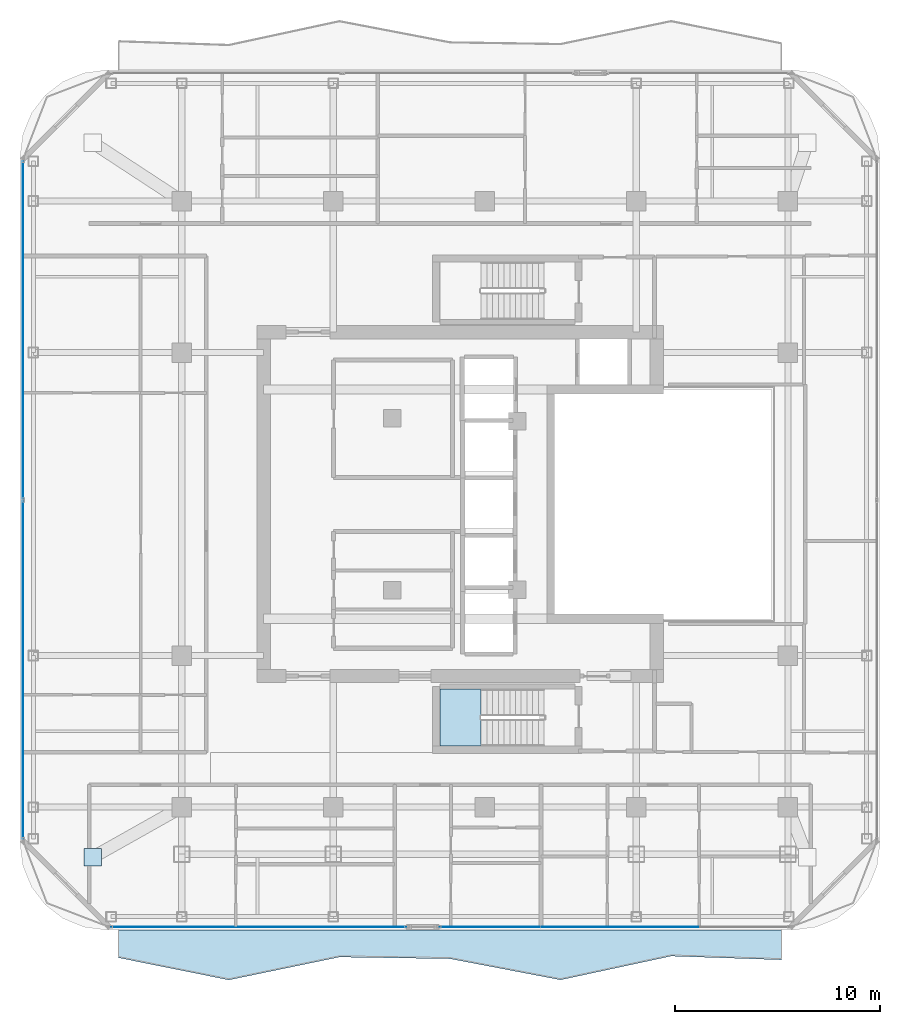
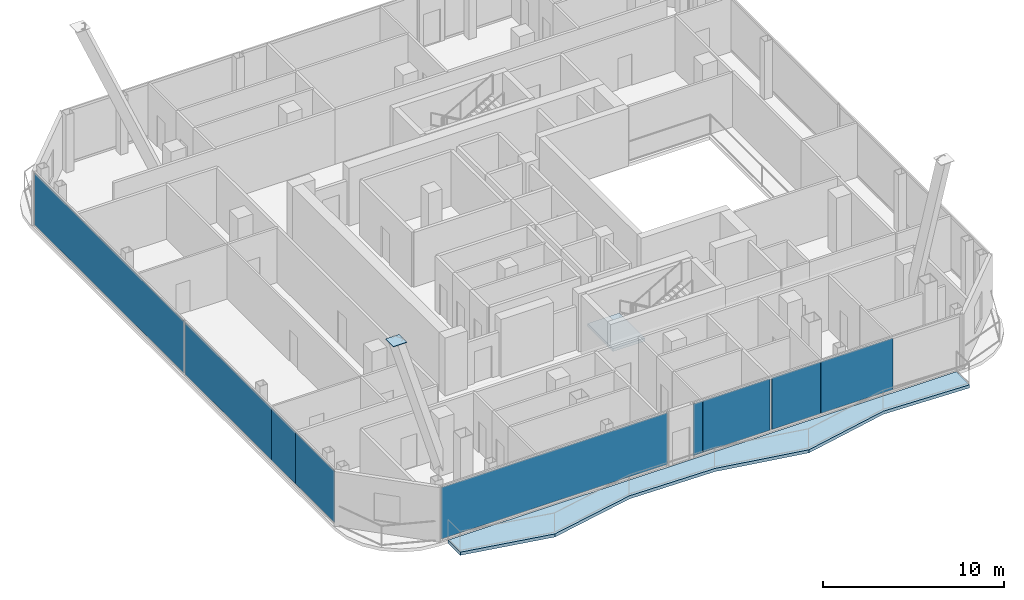
# One storey, part 16 of 24: 10 plates, 2 slabs, 4 elements without a shape of their own.
"""IFC4 building model written with IfcOpenShell, lengths in metres."""

from ifc_helpers import new_model, si_unit, direction, frame, origin, origin_2d, place, context, subcontext, project, spatial, polyline, rectangle, outline, extrude, material, layer, layer_set, type_object, element, aggregate, save


model = new_model("IFC4")

# Units and contexts
model_context = context("Model", 3, precision=1e-05, world=origin(), true_north=direction((0.0, 1.0)))
body_context = subcontext(model_context, "Body", "Model", "MODEL_VIEW")
ifc_project = project(units=[si_unit("LENGTHUNIT", "METRE"), si_unit("AREAUNIT", "SQUARE_METRE"), si_unit("VOLUMEUNIT", "CUBIC_METRE"), si_unit("PLANEANGLEUNIT", "RADIAN"), si_unit("MASSUNIT", "GRAM", prefix="KILO")], contexts=[model_context])

# Site, building, storey
site_placement = place(None, origin())
site = spatial("IfcSite", under=ifc_project, at=site_placement, CompositionType="ELEMENT")
building_placement = place(site_placement, origin())
building = spatial("IfcBuilding", under=site, at=building_placement, Name="Khorvyn Point Tower", CompositionType="ELEMENT")
storey_placement = place(building_placement, frame((0.0, 0.0, 301.5)))
storey = spatial("IfcBuildingStorey", under=building, at=storey_placement, Name="L74", CompositionType="ELEMENT", Elevation=301.5)

# Slab
ifc_material_1 = material(Name="Concrete C40/50", Category="concrete")
ifc_layer_1 = layer(ifc_material_1, 0.2099609375)
ifc_layer_set_1 = layer_set([ifc_layer_1], Name="Concrete C40/50 Rippling Balcony Slab 210")
slab_type_1 = type_object("IfcSlabType", Name="Concrete C40/50 Rippling Balcony Slab 210", PredefinedType="USERDEFINED", material=ifc_layer_set_1)
slab_1_placement = place(storey_placement, frame((0.0, 0.0, -0.2099609375)))
element("IfcSlab", 1, at=slab_1_placement, inside=storey, type_object=slab_type_1, Name="L74 South Sinusoidal Rippling Balcony", ObjectType="BALCONY", PredefinedType="USERDEFINED", context=body_context, shape_type="SweptSolid", body=[
    extrude(outline(polyline([(-17.89990234375, -20.800048828125), (-17.89990234375, -22.155029296875), (-12.5, -23.2421875), (-7.10009765625, -22.12255859375), (-1.699951171875, -22.205322265625), (3.699951171875, -23.238525390625), (9.10009765625, -22.076171875), (14.5, -22.2578125), (14.5, -20.800048828125), (-17.89990234375, -20.800048828125)])), origin(), (0.0, 0.0, 1.0), 0.2099609375),
])

# Stair, slab
stair_type = type_object("IfcStairType", Name="Tower Concrete C40/50 Dogleg Exit Stair", PredefinedType="HALF_TURN_STAIR", material=ifc_material_1)
stair_placement = place(storey_placement, origin())
stair = element("IfcStair", 2, at=stair_placement, inside=storey, type_object=stair_type, Name="L74 Tower Smokeproof Exit Stair South", PredefinedType="HALF_TURN_STAIR")
ifc_layer_2 = layer(ifc_material_1, 0.199951171875)
ifc_layer_set_2 = layer_set([ifc_layer_2], Name="Concrete C40/50 Stair Landing Slab 200")
slab_type_2 = type_object("IfcSlabType", Name="Concrete C40/50 Stair Landing Slab 200", PredefinedType="LANDING", material=ifc_layer_set_2)
slab_2_placement = place(storey_placement, frame((0.0, 0.0, 1.75)))
slab_2 = element("IfcSlab", 3, at=slab_2_placement, type_object=slab_type_2, Name="ST-01 landing 1", PredefinedType="LANDING", context=body_context, shape_type="SweptSolid", body=[
    extrude(outline(polyline([(-0.179931640625, -9.02001953125), (-2.199951171875, -9.02001953125), (-2.199951171875, -11.820068359375), (-0.179931640625, -11.820068359375), (-0.179931640625, -9.02001953125)])), origin(), (0.0, 0.0, 1.0), 0.199951171875),
])
aggregate(stair, [slab_2])

# Plate
ifc_material_2 = material(Name="Steel S450", Category="steel")
ifc_layer_3 = layer(ifc_material_2, 0.031982421875)
ifc_layer_set_3 = layer_set([ifc_layer_3], Name="Steel S450 Exoskeleton End Cap Plate 32")
plate_type_1 = type_object("IfcPlateType", Name="Steel S450 Exoskeleton End Cap Plate 32", PredefinedType="USERDEFINED", material=ifc_layer_set_3)
plate_1_placement = place(storey_placement, frame((-19.1533203125, -17.251953125, 11.693359375), z_axis=(0.0, 0.0, 1.0), x_axis=(1.0, 0.0, 0.0)))
element("IfcPlate", 4, at=plate_1_placement, inside=storey, type_object=plate_type_1, Name="Plate", ObjectType="GUSSET", PredefinedType="USERDEFINED", context=body_context, shape_type="SweptSolid", body=[
    extrude(rectangle(XDim=0.860107421875, YDim=0.860107421875, at=origin_2d()), origin(), (0.0, 0.0, 1.0), 0.031982421875),
])

# Curtain wall, plates
ifc_material_3 = material(Name="Anodised aluminium 6063-T6 and laminated Low-E glass", Category="aluminium")
ifc_layer_4 = layer(ifc_material_3, 0.18994140625)
ifc_layer_set_4 = layer_set([ifc_layer_4], Name="Stick-Built High-Wind Curtain Wall CW-SYS-04")
curtain_wall_type = type_object("IfcCurtainWallType", Name="Stick-Built High-Wind Curtain Wall CW-SYS-04", PredefinedType="NOTDEFINED", material=ifc_layer_set_4)
curtain_wall_1_placement = place(storey_placement, origin())
curtain_wall_1 = element("IfcCurtainWall", 5, at=curtain_wall_1_placement, inside=storey, type_object=curtain_wall_type, Name="Curtain Wall", PredefinedType="NOTDEFINED")
ifc_material_4 = material(Name="Laminated Low-E insulated glass", Category="glass")
ifc_layer_5 = layer(ifc_material_4, 0.028076171875)
ifc_layer_set_5 = layer_set([ifc_layer_5], Name="Tempered Low-E Vision Glazing Panel CW-GL28")
plate_type_2 = type_object("IfcPlateType", Name="Tempered Low-E Vision Glazing Panel CW-GL28", PredefinedType="CURTAIN_PANEL", material=ifc_layer_set_5)
plate_2_placement = place(storey_placement, frame((-1.8994140625, -20.64990234375, 0.10009765625), z_axis=(0.0, 0.0, 1.0), x_axis=(-1.0, 0.0, 0.0)))
plate_2 = element("IfcPlate", 6, at=plate_2_placement, type_object=plate_type_2, Name="Panel", PredefinedType="CURTAIN_PANEL", context=body_context, shape_type="SweptSolid", body=[
    extrude(rectangle(XDim=0.60693359375, YDim=0.028076171875, at=origin_2d()), origin(), (0.0, 0.0, 1.0), 3.47998046875),
])
plate_3_placement = place(storey_placement, frame((0.547119140625, -20.64990234375, 0.10009765625), z_axis=(0.0, 0.0, 1.0), x_axis=(-1.0, 0.0, 0.0)))
plate_3 = element("IfcPlate", 7, at=plate_3_placement, type_object=plate_type_2, Name="Panel", PredefinedType="CURTAIN_PANEL", context=body_context, shape_type="SweptSolid", body=[
    extrude(rectangle(XDim=4.27001953125, YDim=0.028076171875, at=origin_2d()), origin(), (0.0, 0.0, 1.0), 3.47998046875),
])
plate_4_placement = place(storey_placement, frame((4.365478515625, -20.64990234375, 0.10009765625), z_axis=(0.0, 0.0, 1.0), x_axis=(-1.0, 0.0, 0.0)))
plate_4 = element("IfcPlate", 8, at=plate_4_placement, type_object=plate_type_2, Name="Panel", PredefinedType="CURTAIN_PANEL", context=body_context, shape_type="SweptSolid", body=[
    extrude(rectangle(XDim=3.111083984375, YDim=0.028076171875, at=origin_2d()), origin(), (0.0, 0.0, 1.0), 3.47998046875),
])
plate_5_placement = place(storey_placement, frame((8.2275390625, -20.64990234375, 0.10009765625), z_axis=(0.0, 0.0, 1.0), x_axis=(-1.0, 0.0, 0.0)))
plate_5 = element("IfcPlate", 9, at=plate_5_placement, type_object=plate_type_2, Name="Panel", PredefinedType="CURTAIN_PANEL", context=body_context, shape_type="SweptSolid", body=[
    extrude(rectangle(XDim=4.596923828125, YDim=0.028076171875, at=origin_2d()), origin(), (0.0, 0.0, 1.0), 3.47998046875),
])
aggregate(curtain_wall_1, [plate_2, plate_3, plate_4, plate_5])

# Curtain wall, plate
curtain_wall_2_placement = place(storey_placement, origin())
curtain_wall_2 = element("IfcCurtainWall", 10, at=curtain_wall_2_placement, inside=storey, type_object=curtain_wall_type, Name="Curtain Wall", PredefinedType="NOTDEFINED")
plate_6_placement = place(storey_placement, frame((-11.048583984375, -20.64990234375, 0.10009765625), z_axis=(0.0, 0.0, 1.0), x_axis=(-1.0, 0.0, 0.0)))
plate_6 = element("IfcPlate", 11, at=plate_6_placement, type_object=plate_type_2, Name="Panel", PredefinedType="CURTAIN_PANEL", context=body_context, shape_type="SweptSolid", body=[
    extrude(rectangle(XDim=14.403076171875, YDim=0.028076171875, at=origin_2d()), origin(), (0.0, 0.0, 1.0), 3.47998046875),
])
aggregate(curtain_wall_2, [plate_6])

# Curtain wall, plates
curtain_wall_3_placement = place(storey_placement, origin())
curtain_wall_3 = element("IfcCurtainWall", 12, at=curtain_wall_3_placement, inside=storey, type_object=curtain_wall_type, Name="Curtain Wall", PredefinedType="NOTDEFINED")
plate_7_placement = place(storey_placement, frame((-22.550048828125, -14.205078125, 0.10009765625), z_axis=(0.0, 0.0, 1.0), x_axis=(0.0, 1.0, 0.0)))
plate_7 = element("IfcPlate", 13, at=plate_7_placement, type_object=plate_type_2, Name="Panel", PredefinedType="CURTAIN_PANEL", context=body_context, shape_type="SweptSolid", body=[
    extrude(rectangle(XDim=4.281982421875, YDim=0.028076171875, at=origin_2d()), origin(), (0.0, 0.0, 1.0), 3.47998046875),
])
plate_8_placement = place(storey_placement, frame((-22.550048828125, -10.719970703125, 0.10009765625), z_axis=(0.0, 0.0, 1.0), x_axis=(0.0, 1.0, 0.0)))
plate_8 = element("IfcPlate", 14, at=plate_8_placement, type_object=plate_type_2, Name="Panel", PredefinedType="CURTAIN_PANEL", context=body_context, shape_type="SweptSolid", body=[
    extrude(rectangle(XDim=2.672119140625, YDim=0.028076171875, at=origin_2d()), origin(), (0.0, 0.0, 1.0), 3.47998046875),
])
plate_9_placement = place(storey_placement, frame((-22.550048828125, -4.614990234375, 0.10009765625), z_axis=(0.0, 0.0, 1.0), x_axis=(0.0, 1.0, 0.0)))
plate_9 = element("IfcPlate", 15, at=plate_9_placement, type_object=plate_type_2, Name="Panel", PredefinedType="CURTAIN_PANEL", context=body_context, shape_type="SweptSolid", body=[
    extrude(rectangle(XDim=9.52197265625, YDim=0.028076171875, at=origin_2d()), origin(), (0.0, 0.0, 1.0), 3.47998046875),
])
plate_10_placement = place(storey_placement, frame((-22.550048828125, 8.5, 0.10009765625), z_axis=(0.0, 0.0, 1.0), x_axis=(0.0, 1.0, 0.0)))
plate_10 = element("IfcPlate", 16, at=plate_10_placement, type_object=plate_type_2, Name="Panel", PredefinedType="CURTAIN_PANEL", context=body_context, shape_type="SweptSolid", body=[
    extrude(rectangle(XDim=16.5, YDim=0.028076171875, at=origin_2d()), origin(), (0.0, 0.0, 1.0), 3.47998046875),
])
aggregate(curtain_wall_3, [plate_7, plate_8, plate_9, plate_10])

save(model, "model.ifc")
